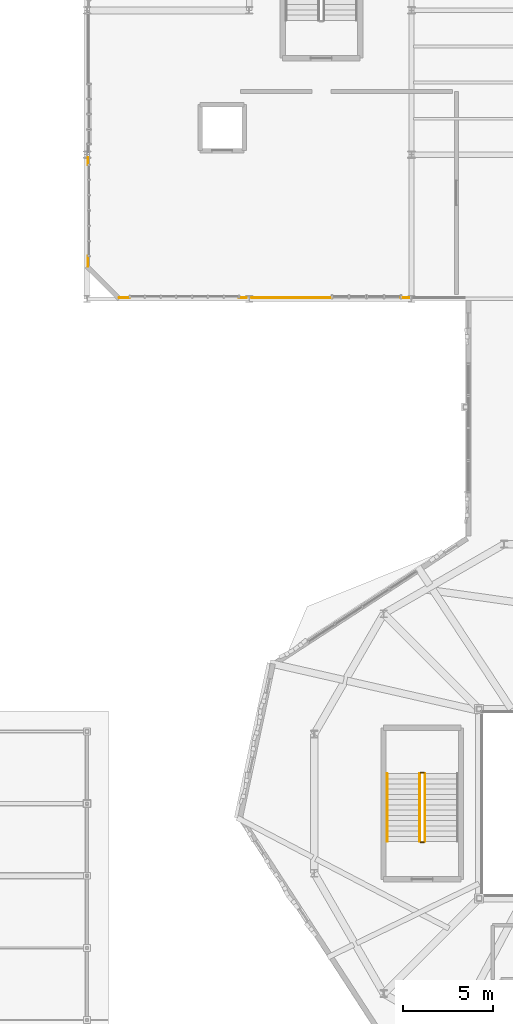
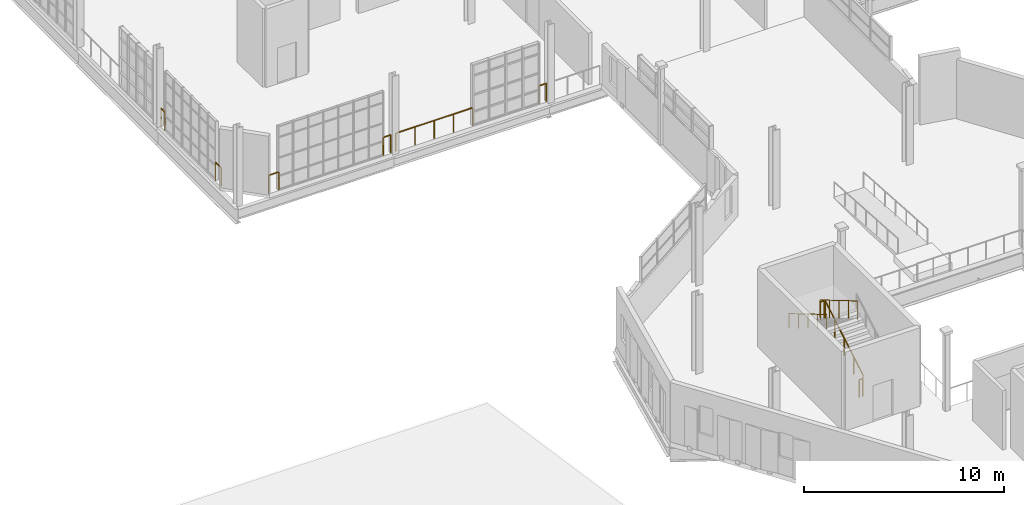
# One storey, part 112 of 118: 11 railings.
"""IFC4 building model written with IfcOpenShell, lengths in metres."""

from ifc_helpers import new_model, si_unit, direction, frame, origin, origin_2d, place, context, subcontext, project, spatial, circle, extrude, material, type_object, element, save


model = new_model("IFC4")

# Units and contexts
model_context = context("Model", 3, precision=1e-05, world=origin(), true_north=direction((0.0, 1.0)))
body_context = subcontext(model_context, "Body", "Model", "MODEL_VIEW")
ifc_project = project(units=[si_unit("LENGTHUNIT", "METRE"), si_unit("AREAUNIT", "SQUARE_METRE"), si_unit("VOLUMEUNIT", "CUBIC_METRE"), si_unit("PLANEANGLEUNIT", "RADIAN"), si_unit("MASSUNIT", "GRAM", prefix="KILO"), si_unit("THERMODYNAMICTEMPERATUREUNIT", "KELVIN"), si_unit("POWERUNIT", "WATT")], contexts=[model_context])

# Site, building, storey
site_placement = place(None, origin())
site = spatial("IfcSite", under=ifc_project, at=site_placement, CompositionType="ELEMENT")
building_placement = place(site_placement, origin())
building = spatial("IfcBuilding", under=site, at=building_placement, Name="Zelmaris Science Centre", CompositionType="ELEMENT")
storey_placement = place(building_placement, frame((0.0, 0.0, 15.60009765625)))
storey = spatial("IfcBuildingStorey", under=building, at=storey_placement, Name="L03", CompositionType="ELEMENT", Elevation=15.60009765625)

# Railings
ifc_material = material(Name="Architectural bronze alloy C28000")
railing_type_1 = type_object("IfcRailingType", Name="Balustrade GD-01 H1120", PredefinedType="BALUSTRADE", material=ifc_material)
railing_1_placement = place(storey_placement, frame((71.85205078125, 64.06005859375, 0.0)))
element("IfcRailing", 1, at=railing_1_placement, inside=storey, type_object=railing_type_1, Name="L03 Perimeter safety balustrade 213", PredefinedType="BALUSTRADE", context=body_context, shape_type="SweptSolid", body=[
    extrude(circle(Radius=0.02392578125, at=origin_2d()), frame((0.0, 0.0, 1.09619140625), z_axis=(-1.0, 0.0, 0.0), x_axis=(0.0, -1.0, 0.0)), (0.0, 0.0, 1.0), 0.422119140625),
    extrude(circle(Radius=0.02099609375, at=origin_2d()), origin(), (0.0, 0.0, 1.0), 1.072021484375),
    extrude(circle(Radius=0.02099609375, at=origin_2d()), frame((-0.422119140625, 0.0, 0.0)), (0.0, 0.0, 1.0), 1.072021484375),
])
railing_2_placement = place(storey_placement, frame((67.590087890625, 64.06005859375, 0.0)))
element("IfcRailing", 2, at=railing_2_placement, inside=storey, type_object=railing_type_1, Name="L03 Perimeter safety balustrade 214", PredefinedType="BALUSTRADE", context=body_context, shape_type="SweptSolid", body=[
    extrude(circle(Radius=0.02392578125, at=origin_2d()), frame((0.0, 0.0, 1.09619140625), z_axis=(-1.0, 0.0, 0.0), x_axis=(0.0, -1.0, 0.0)), (0.0, 0.0, 1.0), 4.442138671875),
    extrude(circle(Radius=0.02099609375, at=origin_2d()), origin(), (0.0, 0.0, 1.0), 1.072021484375),
    extrude(circle(Radius=0.02099609375, at=origin_2d()), frame((-1.110595703125, 0.0, 0.0)), (0.0, 0.0, 1.0), 1.072021484375),
    extrude(circle(Radius=0.02099609375, at=origin_2d()), frame((-2.22119140625, 0.0, 0.0)), (0.0, 0.0, 1.0), 1.072021484375),
    extrude(circle(Radius=0.02099609375, at=origin_2d()), frame((-3.33154296875, 0.0, 0.0)), (0.0, 0.0, 1.0), 1.072021484375),
    extrude(circle(Radius=0.02099609375, at=origin_2d()), frame((-4.442138671875, 0.0, 0.0)), (0.0, 0.0, 1.0), 1.072021484375),
])
railing_3_placement = place(storey_placement, frame((62.85205078125, 64.06005859375, 0.0)))
element("IfcRailing", 3, at=railing_3_placement, inside=storey, type_object=railing_type_1, Name="L03 Perimeter safety balustrade 215", PredefinedType="BALUSTRADE", context=body_context, shape_type="SweptSolid", body=[
    extrude(circle(Radius=0.02392578125, at=origin_2d()), frame((0.0, 0.0, 1.09619140625), z_axis=(-1.0, 0.0, 0.0), x_axis=(0.0, -1.0, 0.0)), (0.0, 0.0, 1.0), 0.422119140625),
    extrude(circle(Radius=0.02099609375, at=origin_2d()), origin(), (0.0, 0.0, 1.0), 1.072021484375),
    extrude(circle(Radius=0.02099609375, at=origin_2d()), frame((-0.422119140625, 0.0, 0.0)), (0.0, 0.0, 1.0), 1.072021484375),
])
railing_4_placement = place(storey_placement, frame((56.3701171875, 64.06005859375, 0.0)))
element("IfcRailing", 4, at=railing_4_placement, inside=storey, type_object=railing_type_1, Name="L03 Perimeter safety balustrade 216", PredefinedType="BALUSTRADE", context=body_context, shape_type="SweptSolid", body=[
    extrude(circle(Radius=0.02392578125, at=origin_2d()), frame((0.0, 0.0, 1.09619140625), z_axis=(-1.0, 0.0, 0.0), x_axis=(0.0, -1.0, 0.0)), (0.0, 0.0, 1.0), 0.570068359375),
    extrude(circle(Radius=0.02099609375, at=origin_2d()), origin(), (0.0, 0.0, 1.0), 1.072021484375),
    extrude(circle(Radius=0.02099609375, at=origin_2d()), frame((-0.570068359375, 0.0, 0.0)), (0.0, 0.0, 1.0), 1.072021484375),
])
railing_5_placement = place(storey_placement, frame((54.06005859375, 65.800048828125, 0.0)))
element("IfcRailing", 5, at=railing_5_placement, inside=storey, type_object=railing_type_1, Name="L03 Perimeter safety balustrade 217", PredefinedType="BALUSTRADE", context=body_context, shape_type="SweptSolid", body=[
    extrude(circle(Radius=0.02392578125, at=origin_2d()), frame((0.0, 0.0, 1.09619140625), z_axis=(0.0, 1.0, 0.0), x_axis=(-1.0, 0.0, 0.0)), (0.0, 0.0, 1.0), 0.570068359375),
    extrude(circle(Radius=0.02099609375, at=origin_2d()), origin(), (0.0, 0.0, 1.0), 1.072021484375),
    extrude(circle(Radius=0.02099609375, at=origin_2d()), frame((0.0, 0.570068359375, 0.0)), (0.0, 0.0, 1.0), 1.072021484375),
])
railing_6_placement = place(storey_placement, frame((54.06005859375, 71.429931640625, 0.0)))
element("IfcRailing", 6, at=railing_6_placement, inside=storey, type_object=railing_type_1, Name="L03 Perimeter safety balustrade 218", PredefinedType="BALUSTRADE", context=body_context, shape_type="SweptSolid", body=[
    extrude(circle(Radius=0.02392578125, at=origin_2d()), frame((0.0, 0.0, 1.09619140625), z_axis=(0.0, 1.0, 0.0), x_axis=(-1.0, 0.0, 0.0)), (0.0, 0.0, 1.0), 0.406982421875),
    extrude(circle(Radius=0.02099609375, at=origin_2d()), origin(), (0.0, 0.0, 1.0), 1.072021484375),
    extrude(circle(Radius=0.02099609375, at=origin_2d()), frame((0.0, 0.406982421875, 0.0)), (0.0, 0.0, 1.0), 1.072021484375),
])
railing_7_placement = place(storey_placement, frame((72.75, 33.89990234375, 0.17138671875)))
element("IfcRailing", 7, at=railing_7_placement, inside=storey, type_object=railing_type_1, Name="L03 ST-1 stair guard 1", PredefinedType="BALUSTRADE", context=body_context, shape_type="SweptSolid", body=[
    extrude(circle(Radius=0.02392578125, at=origin_2d()), frame((0.0, 0.0, 1.076171875), z_axis=(0.0, 0.860848830602, 0.508860777473), x_axis=(-1.0, 0.0, 0.0)), (0.0, 0.0, 1.0), 4.37939453125),
    extrude(circle(Radius=0.02099609375, at=origin_2d()), origin(), (0.0, 0.0, 1.0), 1.052001953125),
    extrude(circle(Radius=0.02099609375, at=origin_2d()), frame((0.0, 0.9423828125, 0.55712890625)), (0.0, 0.0, 1.0), 1.052001953125),
    extrude(circle(Radius=0.02099609375, at=origin_2d()), frame((0.0, 1.885009765625, 1.1142578125)), (0.0, 0.0, 1.0), 1.052001953125),
    extrude(circle(Radius=0.02099609375, at=origin_2d()), frame((0.0, 2.82763671875, 1.67138671875)), (0.0, 0.0, 1.0), 1.052001953125),
    extrude(circle(Radius=0.02099609375, at=origin_2d()), frame((0.0, 3.77001953125, 2.228515625)), (0.0, 0.0, 1.0), 1.052001953125),
])
railing_8_placement = place(storey_placement, frame((72.699951171875, 37.719970703125, 2.39990234375)))
element("IfcRailing", 8, at=railing_8_placement, inside=storey, type_object=railing_type_1, Name="L03 ST-1 stair guard 2", PredefinedType="BALUSTRADE", context=body_context, shape_type="SweptSolid", body=[
    extrude(circle(Radius=0.02392578125, at=origin_2d()), frame((0.0, 0.0, 1.076171875), z_axis=(-1.0, 0.0, 0.0), x_axis=(0.0, -1.0, 0.0)), (0.0, 0.0, 1.0), 0.199951171875),
    extrude(circle(Radius=0.02099609375, at=origin_2d()), origin(), (0.0, 0.0, 1.0), 1.052001953125),
    extrude(circle(Radius=0.02099609375, at=origin_2d()), frame((-0.199951171875, 0.0, 0.0)), (0.0, 0.0, 1.0), 1.052001953125),
])
railing_9_placement = place(storey_placement, frame((72.449951171875, 37.669921875, 2.5712890625)))
element("IfcRailing", 9, at=railing_9_placement, inside=storey, type_object=railing_type_1, Name="L03 ST-1 stair guard 3", PredefinedType="BALUSTRADE", context=body_context, shape_type="SweptSolid", body=[
    extrude(circle(Radius=0.02392578125, at=origin_2d()), frame((0.0, 0.0, 1.076171875), z_axis=(0.0, -0.860848830602, 0.508860777473), x_axis=(1.0, 0.0, 0.0)), (0.0, 0.0, 1.0), 4.37939453125),
    extrude(circle(Radius=0.02099609375, at=origin_2d()), origin(), (0.0, 0.0, 1.0), 1.052001953125),
    extrude(circle(Radius=0.02099609375, at=origin_2d()), frame((0.0, -0.9423828125, 0.55712890625)), (0.0, 0.0, 1.0), 1.052001953125),
    extrude(circle(Radius=0.02099609375, at=origin_2d()), frame((0.0, -1.885009765625, 1.1142578125)), (0.0, 0.0, 1.0), 1.052001953125),
    extrude(circle(Radius=0.02099609375, at=origin_2d()), frame((0.0, -2.82763671875, 1.67138671875)), (0.0, 0.0, 1.0), 1.052001953125),
    extrude(circle(Radius=0.02099609375, at=origin_2d()), frame((0.0, -3.77001953125, 2.228515625)), (0.0, 0.0, 1.0), 1.052001953125),
])
railing_10_placement = place(storey_placement, frame((72.699951171875, 33.85009765625, 0.0)))
element("IfcRailing", 10, at=railing_10_placement, inside=storey, type_object=railing_type_1, Name="L03 ST-1 stair guard 4", PredefinedType="BALUSTRADE", context=body_context, shape_type="SweptSolid", body=[
    extrude(circle(Radius=0.02392578125, at=origin_2d()), frame((0.0, 0.0, 1.076171875), z_axis=(-1.0, 0.0, 0.0), x_axis=(0.0, -1.0, 0.0)), (0.0, 0.0, 1.0), 0.199951171875),
    extrude(circle(Radius=0.02099609375, at=origin_2d()), origin(), (0.0, 0.0, 1.0), 1.052001953125),
    extrude(circle(Radius=0.02099609375, at=origin_2d()), frame((-0.199951171875, 0.0, 0.0)), (0.0, 0.0, 1.0), 1.052001953125),
])
railing_type_2 = type_object("IfcRailingType", Name="Handrail HR-01 H900", PredefinedType="HANDRAIL", material=ifc_material)
railing_11_placement = place(storey_placement, frame((70.64990234375, 37.669921875, 2.5712890625)))
element("IfcRailing", 11, at=railing_11_placement, inside=storey, type_object=railing_type_2, Name="L03 ST-1 stair handrail 2", PredefinedType="HANDRAIL", context=body_context, shape_type="SweptSolid", body=[
    extrude(circle(Radius=0.02392578125, at=origin_2d()), frame((0.0, 0.0, 0.8759765625), z_axis=(0.0, -0.860848830602, 0.508860777473), x_axis=(1.0, 0.0, 0.0)), (0.0, 0.0, 1.0), 4.37939453125),
    extrude(circle(Radius=0.02099609375, at=origin_2d()), origin(), (0.0, 0.0, 1.0), 0.851806640625),
    extrude(circle(Radius=0.02099609375, at=origin_2d()), frame((0.0, -0.9423828125, 0.55712890625)), (0.0, 0.0, 1.0), 0.851806640625),
    extrude(circle(Radius=0.02099609375, at=origin_2d()), frame((0.0, -1.885009765625, 1.1142578125)), (0.0, 0.0, 1.0), 0.851806640625),
    extrude(circle(Radius=0.02099609375, at=origin_2d()), frame((0.0, -2.82763671875, 1.67138671875)), (0.0, 0.0, 1.0), 0.851806640625),
    extrude(circle(Radius=0.02099609375, at=origin_2d()), frame((0.0, -3.77001953125, 2.228515625)), (0.0, 0.0, 1.0), 0.851806640625),
])

save(model, "model.ifc")
